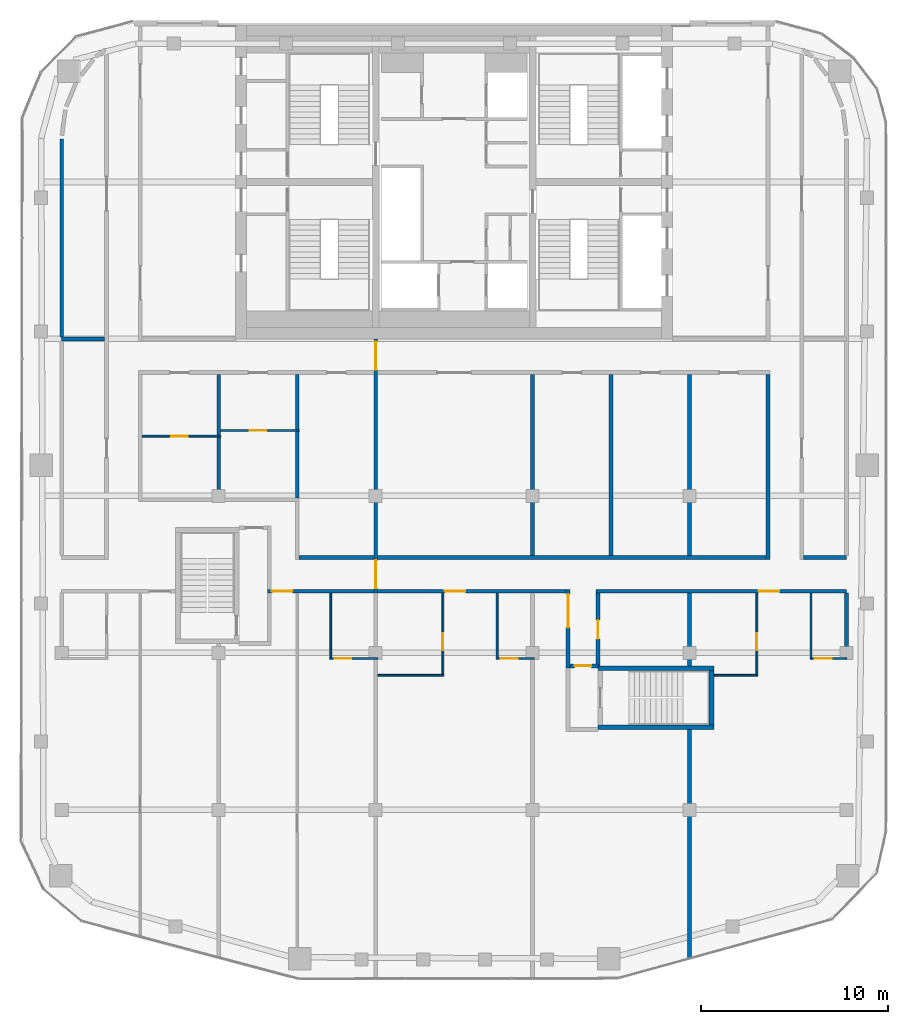
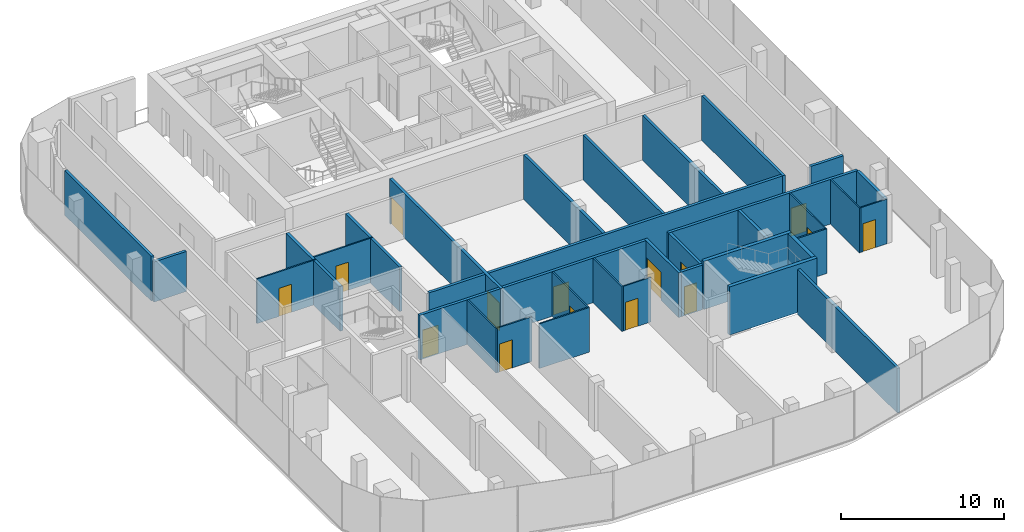
# One storey, part 14 of 19: 34 walls, 15 doors, 15 openings.
"""IFC4 building model written with IfcOpenShell, lengths in metres."""

import ifcopenshell
import ifcopenshell.guid

model = None  # the IFC model being written
_history = None  # IfcOwnerHistory: only IFC2X3 demands one
_inside = {}  # id of a spatial element -> (the spatial element, [elements in it])
_under = {}  # id of a project, library or spatial element -> (it, [spatial elements below it])
_declared = {}  # id of a project -> (the project, [libraries it declares])
_typed = {}  # id of a type object -> (the type object, [elements of that type])
_made_of = {}  # id of a material, layer set ... -> (it, [elements and type objects made of it])


def new_model(schema):
    """Start an empty IFC model of exactly this schema.

    Asked for "IFC4X3", IfcOpenShell would pick the latest addendum, in which some entities
    have other attributes; the version numbers below select the first issue.
    IFC2X3 requires an IfcOwnerHistory on every rooted entity: one is made here for all.
    """
    global model, _history
    if schema == "IFC4X3":
        model = ifcopenshell.file(schema_version=(4, 3, 0, 0))
    else:
        model = ifcopenshell.file(schema=schema)
    _inside.clear()
    _under.clear()
    _declared.clear()
    _typed.clear()
    _made_of.clear()
    _history = None
    if model.schema == "IFC2X3":
        org = make("IfcOrganization", Name="unknown")
        user = make(
            "IfcPersonAndOrganization",
            ThePerson=make("IfcPerson", FamilyName="unknown"),
            TheOrganization=org,
        )
        app = make(
            "IfcApplication",
            ApplicationDeveloper=org,
            Version="unknown",
            ApplicationFullName="unknown",
            ApplicationIdentifier="unknown",
        )
        _history = make(
            "IfcOwnerHistory",
            OwningUser=user,
            OwningApplication=app,
            ChangeAction="ADDED",
            CreationDate=0,
        )
    return model


def make(cls, **values):
    """One entity of the class cls with the attributes given. An attribute that is None is left unset."""
    return model.create_entity(
        cls, **{name: value for name, value in values.items() if value is not None}
    )


def rooted(cls, **values):
    """An entity with a GlobalId (a new one), such as an element, a storey or a relation."""
    return make(cls, GlobalId=ifcopenshell.guid.new(), OwnerHistory=_history, **values)


def si_unit(unit_type, name, prefix=None):
    """IfcSIUnit, for example si_unit("LENGTHUNIT", "METRE", prefix="MILLI")."""
    return make("IfcSIUnit", UnitType=unit_type, Prefix=prefix, Name=name)


def assignment(units):
    """IfcUnitAssignment: the units of a project."""
    return None if units is None else make("IfcUnitAssignment", Units=units)


def point(xyz):
    """IfcCartesianPoint."""
    return None if xyz is None else make("IfcCartesianPoint", Coordinates=xyz)


def direction(xyz):
    """IfcDirection."""
    return None if xyz is None else make("IfcDirection", DirectionRatios=xyz)


def frame(location, z_axis=None, x_axis=None):
    """IfcAxis2Placement3D, a coordinate frame: its origin and axes. An axis left out is left unset."""
    return make(
        "IfcAxis2Placement3D",
        Location=point(location),
        Axis=direction(z_axis),
        RefDirection=direction(x_axis),
    )


def frame_2d(location, x_axis=None):
    """IfcAxis2Placement2D, a coordinate frame in the plane: its origin and x axis."""
    return make(
        "IfcAxis2Placement2D", Location=point(location), RefDirection=direction(x_axis)
    )


def origin():
    """The frame at (0, 0, 0) with its axes left unset."""
    return frame((0.0, 0.0, 0.0))


def place(relative_to, where):
    """IfcLocalPlacement: puts the frame where relative to a parent placement (None: the world)."""
    return make(
        "IfcLocalPlacement", PlacementRelTo=relative_to, RelativePlacement=where
    )


def context(
    kind, dimensions, precision=None, world=None, true_north=None, identifier=None
):
    """IfcGeometricRepresentationContext, for example the 3D "Model" context."""
    return make(
        "IfcGeometricRepresentationContext",
        ContextIdentifier=identifier,
        ContextType=kind,
        CoordinateSpaceDimension=dimensions,
        Precision=precision,
        WorldCoordinateSystem=world,
        TrueNorth=true_north,
    )


def subcontext(parent, identifier, kind, view, scale=None):
    """IfcGeometricRepresentationSubContext, for example "Body" below "Model"."""
    return make(
        "IfcGeometricRepresentationSubContext",
        ContextIdentifier=identifier,
        ContextType=kind,
        ParentContext=parent,
        TargetScale=scale,
        TargetView=view,
    )


def project(units=None, contexts=None):
    """IfcProject with its units and contexts."""
    return rooted(
        "IfcProject",
        Name="project",
        RepresentationContexts=contexts,
        UnitsInContext=assignment(units),
    )


def spatial(cls, under=None, at=None, **own):
    """A site, building, storey or space (cls), placed at a placement, below another one or the project."""
    s = rooted(cls, ObjectPlacement=at, **own)
    if under is not None:
        _under.setdefault(under.id(), (under, []))[1].append(s)
    return s


def profile(cls, at=None, kind="AREA", **sizes):
    """A parametric profile (cls). Its sizes go by their IFC names, for example OverallWidth=200.0."""
    return make(cls, ProfileType=kind, Position=at, **sizes)


def rectangle(**sizes):
    """IfcRectangleProfileDef."""
    return profile("IfcRectangleProfileDef", **sizes)


def extrude(swept, where, along, depth):
    """IfcExtrudedAreaSolid: the profile swept, set in the frame where, extruded along a direction by depth."""
    return make(
        "IfcExtrudedAreaSolid",
        SweptArea=swept,
        Position=where,
        ExtrudedDirection=direction(along),
        Depth=depth,
    )


def shape(context_of_items, identifier, shape_type, items):
    """IfcShapeRepresentation: the items that make up one representation, for example the "Body"."""
    return make(
        "IfcShapeRepresentation",
        ContextOfItems=context_of_items,
        RepresentationIdentifier=identifier,
        RepresentationType=shape_type,
        Items=items,
    )


def material(Name=None, Category=None):
    """IfcMaterial."""
    return make("IfcMaterial", Name=Name, Category=Category)


def layer(
    of_material, thickness, ventilated=None, Name=None, Category=None, Priority=None
):
    """IfcMaterialLayer: one layer of a wall or slab, of a material (None: an air gap)."""
    return make(
        "IfcMaterialLayer",
        Material=of_material,
        LayerThickness=thickness,
        IsVentilated=ventilated,
        Name=Name,
        Category=Category,
        Priority=Priority,
    )


def layer_set(layers, Name=None):
    """IfcMaterialLayerSet."""
    return make("IfcMaterialLayerSet", MaterialLayers=layers, LayerSetName=Name)


def made_of(thing, what):
    """Note that an element or type object is made of a material, layer set ...; save() writes the relation."""
    if what is not None:
        _made_of.setdefault(what.id(), (what, []))[1].append(thing)
    return thing


def type_object(cls, material=None, **own):
    """A type object (cls), such as IfcWallType, which elements share."""
    return made_of(rooted(cls, **own), material)


def element(
    cls,
    number,
    at=None,
    inside=None,
    cuts=None,
    type_object=None,
    material=None,
    context=None,
    identifier="Body",
    shape_type=None,
    held_by="IfcProductDefinitionShape",
    body=None,
    shapes=None,
    **own,
):
    """One element of the class cls, such as IfcWall. Its Tag is "e" and its number.

    at: its placement. inside: the storey or other place that contains it. cuts: it is an
    opening in that element (IfcRelVoidsElement). A single representation is given by context,
    identifier, shape_type and body (its items); several are given by shapes. held_by: the class
    of the entity that holds the representations. save() writes the other relations.
    """
    e = rooted(cls, Tag="e%d" % number, ObjectPlacement=at, **own)
    if body is not None:
        shapes = [shape(context, identifier, shape_type, body)]
    if shapes is not None:
        e.Representation = make(held_by, Representations=shapes)
    if inside is not None:
        _inside.setdefault(inside.id(), (inside, []))[1].append(e)
    if cuts is not None:
        rooted(
            "IfcRelVoidsElement", RelatingBuildingElement=cuts, RelatedOpeningElement=e
        )
    if type_object is not None:
        _typed.setdefault(type_object.id(), (type_object, []))[1].append(e)
    return made_of(e, material)


def fill(opening, filler):
    """IfcRelFillsElement: the door or window that sits in an opening."""
    return rooted(
        "IfcRelFillsElement",
        RelatingOpeningElement=opening,
        RelatedBuildingElement=filler,
    )


def aggregate(whole, parts):
    """IfcRelAggregates: a whole, such as a stair, and the parts it consists of."""
    return rooted("IfcRelAggregates", RelatingObject=whole, RelatedObjects=parts)


def save(model, path):
    """Write the relations noted so far, then the file.

    IfcRelAggregates (storeys below a building ...), IfcRelContainedInSpatialStructure (elements
    in a storey), IfcRelDefinesByType, IfcRelAssociatesMaterial and IfcRelDeclares: one each for
    every whole, place, type object, material and project.
    """
    for whole, parts in _under.values():
        aggregate(whole, parts)
    for where, things in _inside.values():
        rooted(
            "IfcRelContainedInSpatialStructure",
            RelatedElements=things,
            RelatingStructure=where,
        )
    for kind, things in _typed.values():
        rooted("IfcRelDefinesByType", RelatedObjects=things, RelatingType=kind)
    for what, things in _made_of.values():
        rooted("IfcRelAssociatesMaterial", RelatedObjects=things, RelatingMaterial=what)
    for by, libraries in _declared.values():
        rooted("IfcRelDeclares", RelatingContext=by, RelatedDefinitions=libraries)
    model.write(path)


model = new_model("IFC4")

# Units and contexts
model_context = context("Model", 3, precision=1e-05, world=origin(), true_north=direction((0.0, 1.0)))
body_context = subcontext(model_context, "Body", "Model", "MODEL_VIEW")
ifc_project = project(units=[si_unit("LENGTHUNIT", "METRE"), si_unit("AREAUNIT", "SQUARE_METRE"), si_unit("VOLUMEUNIT", "CUBIC_METRE"), si_unit("PLANEANGLEUNIT", "RADIAN"), si_unit("MASSUNIT", "GRAM", prefix="KILO")], contexts=[model_context])

# Site, building, storey
site_placement = place(None, origin())
site = spatial("IfcSite", under=ifc_project, at=site_placement, CompositionType="ELEMENT")
building_placement = place(site_placement, origin())
building = spatial("IfcBuilding", under=site, at=building_placement, Name="Marenta Gate Hotel Tower", CompositionType="ELEMENT")
storey_placement = place(building_placement, frame((0.0, 0.0, 274.10009765625)))
storey = spatial("IfcBuildingStorey", under=building, at=storey_placement, Name="L63", CompositionType="ELEMENT", Elevation=274.10009765625)

# Wall, openings, doors
ifc_material_1 = material(Name="Concrete blockwork", Category="masonry")
ifc_layer_1 = layer(ifc_material_1, 0.199951171875)
ifc_layer_set_1 = layer_set([ifc_layer_1], Name="Concrete blockwork")
wall_type_1 = type_object("IfcWallType", Name="Compartment wall 200 REI 180", PredefinedType="PARTITIONING", material=ifc_layer_set_1)
wall_1_placement = place(storey_placement, frame((-4.199951171875, -13.60009765625, 0.0), z_axis=(0.0, 0.0, 1.0), x_axis=(0.0, 1.0, 0.0)))
wall_1 = element("IfcWall", 1, at=wall_1_placement, inside=storey, type_object=wall_type_1, Name="L63-PTN-W041", PredefinedType="PARTITIONING", context=body_context, shape_type="SweptSolid", body=[
    extrude(rectangle(XDim=13.60009765625, YDim=0.199951171875, at=frame_2d((6.800048828125, 0.0))), origin(), (0.0, 0.0, 1.0), 3.33984375),
])
opening_1_placement = place(wall_1_placement, frame((11.949951171875, 0.0, 0.0)))
opening_1 = element("IfcOpeningElement", 2, at=opening_1_placement, cuts=wall_1, Name="Opening G23-FD1", PredefinedType="OPENING", context=body_context, shape_type="SweptSolid", body=[
    extrude(rectangle(XDim=1.5, YDim=2.10009765625, at=frame_2d((0.75, 1.050048828125))), frame((0.0, 0.10009765625, 0.0), z_axis=(0.0, -1.0, 0.0), x_axis=(1.0, 0.0, 0.0)), (0.0, 0.0, 1.0), 0.199951171875),
])
opening_2_placement = place(wall_1_placement, frame((0.25, 0.0, 0.0)))
opening_2 = element("IfcOpeningElement", 3, at=opening_2_placement, cuts=wall_1, Name="Opening G23-FD2", PredefinedType="OPENING", context=body_context, shape_type="SweptSolid", body=[
    extrude(rectangle(XDim=1.5, YDim=2.10009765625, at=frame_2d((0.75, 1.050048828125))), frame((0.0, 0.10009765625, 0.0), z_axis=(0.0, -1.0, 0.0), x_axis=(1.0, 0.0, 0.0)), (0.0, 0.0, 1.0), 0.199951171875),
])
ifc_material_2 = material(Name="Hollow steel door set", Category="steel")
door_type_1 = type_object("IfcDoorType", Name="Compartment fire door 1500x2100 EI 60", OperationType="DOUBLE_DOOR_DOUBLE_SWING", PredefinedType="DOOR", material=ifc_material_2)
door_1_placement = place(opening_1_placement, origin())
door_1 = element("IfcDoor", 4, at=door_1_placement, inside=storey, type_object=door_type_1, Name="L63-PD-FD01", OperationType="DOUBLE_DOOR_DOUBLE_SWING", OverallHeight=2.10009765625, OverallWidth=1.5, PredefinedType="DOOR", context=body_context, shape_type="SweptSolid", body=[
    extrude(rectangle(XDim=1.5, YDim=2.10009765625, at=frame_2d((0.75, 1.050048828125))), frame((0.0, 0.02490234375, 0.0), z_axis=(0.0, -1.0, 0.0), x_axis=(1.0, 0.0, 0.0)), (0.0, 0.0, 1.0), 0.050048828125),
])
fill(opening_1, door_1)
door_2_placement = place(opening_2_placement, origin())
door_2 = element("IfcDoor", 5, at=door_2_placement, inside=storey, type_object=door_type_1, Name="L63-PD-FD02", OperationType="DOUBLE_DOOR_DOUBLE_SWING", OverallHeight=2.10009765625, OverallWidth=1.5, PredefinedType="DOOR", context=body_context, shape_type="SweptSolid", body=[
    extrude(rectangle(XDim=1.5, YDim=2.10009765625, at=frame_2d((0.75, 1.050048828125))), frame((0.0, 0.02490234375, 0.0), z_axis=(0.0, -1.0, 0.0), x_axis=(1.0, 0.0, 0.0)), (0.0, 0.0, 1.0), 0.050048828125),
])
fill(opening_2, door_2)

# Walls
ifc_material_3 = material(Name="Concrete C40", Category="concrete")
ifc_layer_2 = layer(ifc_material_3, 0.25)
ifc_layer_set_2 = layer_set([ifc_layer_2], Name="Concrete C40")
wall_type_2 = type_object("IfcWallType", Name="Remote stair enclosure wall 250 REI 180", PredefinedType="SHEAR", material=ifc_layer_set_2)
for number, where, z_axis, x_axis, name in (
    (6, (7.699951171875, -20.77490234375, 0.099853515625), (0.0, 0.0, 1.0), (1.0, 0.0, 0.0), "L63-RS-Z4-1-W1"),
    (7, (7.699951171875, -17.625, 0.099853515625), (0.0, 0.0, 1.0), (1.0, 0.0, 0.0), "L63-RS-Z4-1-W2"),
):
    element("IfcWall", number, at=place(storey_placement, frame(where, z_axis=z_axis, x_axis=x_axis)), inside=storey, type_object=wall_type_2, Name=name, PredefinedType="SHEAR", context=body_context, shape_type="SweptSolid", body=[
        extrude(rectangle(XDim=6.199951171875, YDim=0.25, at=frame_2d((3.10009765625, 0.0))), origin(), (0.0, 0.0, 1.0), 3.60009765625),
    ])
wall_2_placement = place(storey_placement, frame((13.77490234375, -20.64990234375, 0.099853515625), z_axis=(0.0, 0.0, 1.0), x_axis=(0.0, 1.0, 0.0)))
element("IfcWall", 8, at=wall_2_placement, inside=storey, type_object=wall_type_2, Name="L63-RS-Z4-1-W4", PredefinedType="SHEAR", context=body_context, shape_type="SweptSolid", body=[
    extrude(rectangle(XDim=2.89990234375, YDim=0.25, at=frame_2d((1.449951171875, 0.0))), origin(), (0.0, 0.0, 1.0), 3.60009765625),
])
ifc_material_4 = material(Name="Gypsum board on steel stud", Category="steel")
ifc_layer_3 = layer(ifc_material_4, 0.199951171875)
ifc_layer_set_3 = layer_set([ifc_layer_3], Name="Gypsum board on steel stud")
wall_type_3 = type_object("IfcWallType", Name="Room corridor wall 200 EI 60", PredefinedType="PARTITIONING", material=ifc_layer_set_3)
wall_3_placement = place(storey_placement, frame((21.0, -17.050048828125, 0.0), z_axis=(0.0, 0.0, 1.0), x_axis=(0.0, 1.0, 0.0)))
element("IfcWall", 9, at=wall_3_placement, inside=storey, type_object=wall_type_3, Name="L63-PTN-W001", PredefinedType="PARTITIONING", context=body_context, shape_type="SweptSolid", body=[
    extrude(rectangle(XDim=3.449951171875, YDim=0.199951171875, at=frame_2d((1.72509765625, 0.0))), origin(), (0.0, 0.0, 1.0), 3.33984375),
])
wall_4_placement = place(storey_placement, frame((16.800048828125, -11.800048828125, 0.0), z_axis=(0.0, 0.0, 1.0), x_axis=(0.0, 1.0, 0.0)))
element("IfcWall", 10, at=wall_4_placement, inside=storey, type_object=wall_type_3, Name="L63-PTN-W013", PredefinedType="PARTITIONING", context=body_context, shape_type="SweptSolid", body=[
    extrude(rectangle(XDim=9.900146484375, YDim=0.199951171875, at=frame_2d((4.9501953125, 0.0))), origin(), (0.0, 0.0, 1.0), 3.33984375),
])

# Wall, openings, doors
wall_5_placement = place(storey_placement, frame((-10.0, -13.5, 0.0), z_axis=(0.0, 0.0, 1.0), x_axis=(1.0, 0.0, 0.0)))
wall_5 = element("IfcWall", 11, at=wall_5_placement, inside=storey, type_object=wall_type_3, Name="L63-PTN-W017", PredefinedType="PARTITIONING", context=body_context, shape_type="SweptSolid", body=[
    extrude(rectangle(XDim=16.0, YDim=0.199951171875, at=frame_2d((8.0, 0.0))), origin(), (0.0, 0.0, 1.0), 3.33984375),
])
opening_3_placement = place(wall_5_placement, frame((0.25, 0.0, 0.0)))
opening_3 = element("IfcOpeningElement", 12, at=opening_3_placement, cuts=wall_5, Name="Opening G23-14", PredefinedType="OPENING", context=body_context, shape_type="SweptSolid", body=[
    extrude(rectangle(XDim=1.10009765625, YDim=2.10009765625, at=frame_2d((0.550048828125, 1.050048828125))), frame((0.0, 0.10009765625, 0.0), z_axis=(0.0, -1.0, 0.0), x_axis=(1.0, 0.0, 0.0)), (0.0, 0.0, 1.0), 0.199951171875),
])
opening_4_placement = place(wall_5_placement, frame((9.5, 0.0, 0.0)))
opening_4 = element("IfcOpeningElement", 13, at=opening_4_placement, cuts=wall_5, Name="Opening G23-17", PredefinedType="OPENING", context=body_context, shape_type="SweptSolid", body=[
    extrude(rectangle(XDim=1.10009765625, YDim=2.10009765625, at=frame_2d((0.550048828125, 1.050048828125))), frame((0.0, 0.10009765625, 0.0), z_axis=(0.0, -1.0, 0.0), x_axis=(1.0, 0.0, 0.0)), (0.0, 0.0, 1.0), 0.199951171875),
])
ifc_material_5 = material(Name="Timber door leaf", Category="wood")
door_type_2 = type_object("IfcDoorType", Name="Guest room door 1100x2100 EI 30", OperationType="NOTDEFINED", PredefinedType="DOOR", material=ifc_material_5)
door_3_placement = place(opening_3_placement, origin())
door_3 = element("IfcDoor", 14, at=door_3_placement, inside=storey, type_object=door_type_2, Name="L63-PD-D014", OperationType="SINGLE_SWING_RIGHT", OverallHeight=2.10009765625, OverallWidth=1.10009765625, PredefinedType="DOOR", context=body_context, shape_type="SweptSolid", body=[
    extrude(rectangle(XDim=1.10009765625, YDim=2.10009765625, at=frame_2d((0.550048828125, 1.050048828125))), frame((0.0, 0.02490234375, 0.0), z_axis=(0.0, -1.0, 0.0), x_axis=(1.0, 0.0, 0.0)), (0.0, 0.0, 1.0), 0.050048828125),
])
fill(opening_3, door_3)
door_4_placement = place(opening_4_placement, origin())
door_4 = element("IfcDoor", 15, at=door_4_placement, inside=storey, type_object=door_type_2, Name="L63-PD-D017", OperationType="SINGLE_SWING_RIGHT", OverallHeight=2.10009765625, OverallWidth=1.10009765625, PredefinedType="DOOR", context=body_context, shape_type="SweptSolid", body=[
    extrude(rectangle(XDim=1.10009765625, YDim=2.10009765625, at=frame_2d((0.550048828125, 1.050048828125))), frame((0.0, 0.02490234375, 0.0), z_axis=(0.0, -1.0, 0.0), x_axis=(1.0, 0.0, 0.0)), (0.0, 0.0, 1.0), 0.050048828125),
])
fill(opening_4, door_4)

# Wall, opening, door
wall_6_placement = place(storey_placement, frame((7.60009765625, -13.5, 0.0), z_axis=(0.0, 0.0, 1.0), x_axis=(1.0, 0.0, 0.0)))
wall_6 = element("IfcWall", 16, at=wall_6_placement, inside=storey, type_object=wall_type_3, Name="L63-PTN-W018", PredefinedType="PARTITIONING", context=body_context, shape_type="SweptSolid", body=[
    extrude(rectangle(XDim=13.39990234375, YDim=0.199951171875, at=frame_2d((6.699951171875, 0.0))), origin(), (0.0, 0.0, 1.0), 3.33984375),
])
opening_5_placement = place(wall_6_placement, frame((8.699951171875, 0.0, 0.0)))
opening_5 = element("IfcOpeningElement", 17, at=opening_5_placement, cuts=wall_6, Name="Opening G23-21", PredefinedType="OPENING", context=body_context, shape_type="SweptSolid", body=[
    extrude(rectangle(XDim=1.10009765625, YDim=2.10009765625, at=frame_2d((0.550048828125, 1.050048828125))), frame((0.0, 0.10009765625, 0.0), z_axis=(0.0, -1.0, 0.0), x_axis=(1.0, 0.0, 0.0)), (0.0, 0.0, 1.0), 0.199951171875),
])
door_5_placement = place(opening_5_placement, origin())
door_5 = element("IfcDoor", 18, at=door_5_placement, inside=storey, type_object=door_type_2, Name="L63-PD-D021", OperationType="SINGLE_SWING_RIGHT", OverallHeight=2.10009765625, OverallWidth=1.10009765625, PredefinedType="DOOR", context=body_context, shape_type="SweptSolid", body=[
    extrude(rectangle(XDim=1.10009765625, YDim=2.10009765625, at=frame_2d((0.550048828125, 1.050048828125))), frame((0.0, 0.02490234375, 0.0), z_axis=(0.0, -1.0, 0.0), x_axis=(1.0, 0.0, 0.0)), (0.0, 0.0, 1.0), 0.050048828125),
])
fill(opening_5, door_5)

# Walls
wall_7_placement = place(storey_placement, frame((-8.300048828125, -11.699951171875, 0.0), z_axis=(0.0, 0.0, 1.0), x_axis=(1.0, 0.0, 0.0)))
element("IfcWall", 19, at=wall_7_placement, inside=storey, type_object=wall_type_3, Name="L63-PTN-W023", PredefinedType="PARTITIONING", context=body_context, shape_type="SweptSolid", body=[
    extrude(rectangle(XDim=25.0, YDim=0.199951171875, at=frame_2d((12.5, 0.0))), origin(), (0.0, 0.0, 1.0), 3.33984375),
])
wall_8_placement = place(storey_placement, frame((18.699951171875, -11.699951171875, 0.0), z_axis=(0.0, 0.0, 1.0), x_axis=(1.0, 0.0, 0.0)))
element("IfcWall", 20, at=wall_8_placement, inside=storey, type_object=wall_type_3, Name="L63-PTN-W024", PredefinedType="PARTITIONING", context=body_context, shape_type="SweptSolid", body=[
    extrude(rectangle(XDim=2.300048828125, YDim=0.199951171875, at=frame_2d((1.14990234375, 0.0))), origin(), (0.0, 0.0, 1.0), 3.33984375),
])

# Wall, opening, door
wall_9_placement = place(storey_placement, frame((7.699951171875, -17.5, 0.0), z_axis=(0.0, 0.0, 1.0), x_axis=(0.0, 1.0, 0.0)))
wall_9 = element("IfcWall", 21, at=wall_9_placement, inside=storey, type_object=wall_type_3, Name="L63-PTN-W028", PredefinedType="PARTITIONING", context=body_context, shape_type="SweptSolid", body=[
    extrude(rectangle(XDim=3.89990234375, YDim=0.199951171875, at=frame_2d((1.949951171875, 0.0))), origin(), (0.0, 0.0, 1.0), 3.33984375),
])
opening_6_placement = place(wall_9_placement, frame((1.449951171875, 0.0, 0.0)))
opening_6 = element("IfcOpeningElement", 22, at=opening_6_placement, cuts=wall_9, Name="Opening G23-29", PredefinedType="OPENING", context=body_context, shape_type="SweptSolid", body=[
    extrude(rectangle(XDim=1.0, YDim=2.10009765625, at=frame_2d((0.5, 1.050048828125))), frame((0.0, 0.10009765625, 0.0), z_axis=(0.0, -1.0, 0.0), x_axis=(1.0, 0.0, 0.0)), (0.0, 0.0, 1.0), 0.199951171875),
])
ifc_material_6 = material(Name="Timber door leaf", Category="wood")
door_type_3 = type_object("IfcDoorType", Name="Room amenity door 1000x2100 EI 30", OperationType="NOTDEFINED", PredefinedType="DOOR", material=ifc_material_6)
door_6_placement = place(opening_6_placement, origin())
door_6 = element("IfcDoor", 23, at=door_6_placement, inside=storey, type_object=door_type_3, Name="L63-PD-D029", OperationType="SINGLE_SWING_LEFT", OverallHeight=2.10009765625, OverallWidth=1.0, PredefinedType="DOOR", context=body_context, shape_type="SweptSolid", body=[
    extrude(rectangle(XDim=1.0, YDim=2.10009765625, at=frame_2d((0.5, 1.050048828125))), frame((0.0, 0.02490234375, 0.0), z_axis=(0.0, -1.0, 0.0), x_axis=(1.0, 0.0, 0.0)), (0.0, 0.0, 1.0), 0.050048828125),
])
fill(opening_6, door_6)

wall_10_placement = place(storey_placement, frame((6.10009765625, -17.60009765625, 0.0), z_axis=(0.0, 0.0, 1.0), x_axis=(0.0, 1.0, 0.0)))
wall_10 = element("IfcWall", 24, at=wall_10_placement, inside=storey, type_object=wall_type_3, Name="L63-PTN-W030", PredefinedType="PARTITIONING", context=body_context, shape_type="SweptSolid", body=[
    extrude(rectangle(XDim=4.2001953125, YDim=0.199951171875, at=frame_2d((2.10009765625, 0.0))), origin(), (0.0, 0.0, 1.0), 3.33984375),
])
opening_7_placement = place(wall_10_placement, frame((2.14990234375, 0.0, 0.0)))
opening_7 = element("IfcOpeningElement", 25, at=opening_7_placement, cuts=wall_10, Name="Opening G23-20", PredefinedType="OPENING", context=body_context, shape_type="SweptSolid", body=[
    extrude(rectangle(XDim=1.800048828125, YDim=2.10009765625, at=frame_2d((0.89990234375, 1.050048828125))), frame((0.0, 0.10009765625, 0.0), z_axis=(0.0, -1.0, 0.0), x_axis=(1.0, 0.0, 0.0)), (0.0, 0.0, 1.0), 0.199951171875),
])
ifc_material_7 = material(Name="Timber door leaf", Category="wood")
door_type_4 = type_object("IfcDoorType", Name="Room amenity door 1800x2100 EI 30", OperationType="DOUBLE_DOOR_SINGLE_SWING", PredefinedType="DOOR", material=ifc_material_7)
door_7_placement = place(opening_7_placement, origin())
door_7 = element("IfcDoor", 26, at=door_7_placement, inside=storey, type_object=door_type_4, Name="L63-PD-D020", OperationType="DOUBLE_DOOR_SINGLE_SWING", OverallHeight=2.10009765625, OverallWidth=1.800048828125, PredefinedType="DOOR", context=body_context, shape_type="SweptSolid", body=[
    extrude(rectangle(XDim=1.800048828125, YDim=2.10009765625, at=frame_2d((0.89990234375, 1.050048828125))), frame((0.0, 0.02490234375, 0.0), z_axis=(0.0, -1.0, 0.0), x_axis=(1.0, 0.0, 0.0)), (0.0, 0.0, 1.0), 0.050048828125),
])
fill(opening_7, door_7)

ifc_material_8 = material(Name="Concrete blockwork", Category="masonry")
ifc_layer_4 = layer(ifc_material_8, 0.199951171875)
ifc_layer_set_4 = layer_set([ifc_layer_4], Name="Concrete blockwork")
wall_type_4 = type_object("IfcWallType", Name="Room corridor wall 200 REI 180", PredefinedType="PARTITIONING", material=ifc_layer_set_4)
wall_11_placement = place(storey_placement, frame((6.199951171875, -17.5, 0.0), z_axis=(0.0, 0.0, 1.0), x_axis=(1.0, 0.0, 0.0)))
wall_11 = element("IfcWall", 27, at=wall_11_placement, inside=storey, type_object=wall_type_4, Name="L63-PTN-W008", PredefinedType="PARTITIONING", context=body_context, shape_type="SweptSolid", body=[
    extrude(rectangle(XDim=1.5, YDim=0.199951171875, at=frame_2d((0.75, 0.0))), origin(), (0.0, 0.0, 1.0), 3.33984375),
])
opening_8_placement = place(wall_11_placement, frame((0.25, 0.0, 0.0)))
opening_8 = element("IfcOpeningElement", 28, at=opening_8_placement, cuts=wall_11, Name="Opening G23-25", PredefinedType="OPENING", context=body_context, shape_type="SweptSolid", body=[
    extrude(rectangle(XDim=0.89990234375, YDim=2.10009765625, at=frame_2d((0.449951171875, 1.050048828125))), frame((0.0, 0.10009765625, 0.0), z_axis=(0.0, -1.0, 0.0), x_axis=(1.0, 0.0, 0.0)), (0.0, 0.0, 1.0), 0.199951171875),
])
ifc_material_9 = material(Name="Hollow steel door set", Category="steel")
door_type_5 = type_object("IfcDoorType", Name="Stair vestibule door 900x2100 EI 60", OperationType="NOTDEFINED", PredefinedType="DOOR", material=ifc_material_9)
door_8_placement = place(opening_8_placement, origin())
door_8 = element("IfcDoor", 29, at=door_8_placement, inside=storey, type_object=door_type_5, Name="L63-PD-D025", OperationType="SINGLE_SWING_LEFT", OverallHeight=2.10009765625, OverallWidth=0.89990234375, PredefinedType="DOOR", context=body_context, shape_type="SweptSolid", body=[
    extrude(rectangle(XDim=0.89990234375, YDim=2.10009765625, at=frame_2d((0.449951171875, 1.050048828125))), frame((0.0, 0.02490234375, 0.0), z_axis=(0.0, -1.0, 0.0), x_axis=(1.0, 0.0, 0.0)), (0.0, 0.0, 1.0), 0.050048828125),
])
fill(opening_8, door_8)

# Walls
ifc_material_10 = material(Name="Gypsum board on steel stud", Category="steel")
ifc_layer_5 = layer(ifc_material_10, 0.10009765625)
ifc_layer_set_5 = layer_set([ifc_layer_5], Name="Gypsum board on steel stud")
wall_type_5 = type_object("IfcWallType", Name="Room partition 100", PredefinedType="PARTITIONING", material=ifc_layer_set_5)
wall_12_placement = place(storey_placement, frame((19.10009765625, -17.14990234375, 0.0), z_axis=(0.0, 0.0, 1.0), x_axis=(0.0, 1.0, 0.0)))
element("IfcWall", 30, at=wall_12_placement, inside=storey, type_object=wall_type_5, Name="L63-PTN-W004", PredefinedType="PARTITIONING", context=body_context, shape_type="SweptSolid", body=[
    extrude(rectangle(XDim=3.5498046875, YDim=0.10009765625, at=frame_2d((1.77490234375, 0.0))), origin(), (0.0, 0.0, 1.0), 3.33984375),
])
wall_13_placement = place(storey_placement, frame((-4.10009765625, -18.0, 0.0), z_axis=(0.0, 0.0, 1.0), x_axis=(1.0, 0.0, 0.0)))
element("IfcWall", 31, at=wall_13_placement, inside=storey, type_object=wall_type_5, Name="L63-PTN-W006", PredefinedType="PARTITIONING", context=body_context, shape_type="SweptSolid", body=[
    extrude(rectangle(XDim=3.550048828125, YDim=0.10009765625, at=frame_2d((1.77490234375, 0.0))), origin(), (0.0, 0.0, 1.0), 3.33984375),
])
wall_14_placement = place(storey_placement, frame((13.89990234375, -18.0, 0.0), z_axis=(0.0, 0.0, 1.0), x_axis=(1.0, 0.0, 0.0)))
element("IfcWall", 32, at=wall_14_placement, inside=storey, type_object=wall_type_5, Name="L63-PTN-W007", PredefinedType="PARTITIONING", context=body_context, shape_type="SweptSolid", body=[
    extrude(rectangle(XDim=2.35009765625, YDim=0.10009765625, at=frame_2d((1.175048828125, 0.0))), origin(), (0.0, 0.0, 1.0), 3.33984375),
])

# Wall, opening, door
wall_15_placement = place(storey_placement, frame((-6.550048828125, -17.10009765625, 0.0), z_axis=(0.0, 0.0, 1.0), x_axis=(1.0, 0.0, 0.0)))
wall_15 = element("IfcWall", 33, at=wall_15_placement, inside=storey, type_object=wall_type_5, Name="L63-PTN-W010", PredefinedType="PARTITIONING", context=body_context, shape_type="SweptSolid", body=[
    extrude(rectangle(XDim=2.449951171875, YDim=0.10009765625, at=frame_2d((1.22509765625, 0.0))), origin(), (0.0, 0.0, 1.0), 3.33984375),
])
opening_9_placement = place(wall_15_placement, frame((0.14990234375, 0.0, 0.0)))
opening_9 = element("IfcOpeningElement", 34, at=opening_9_placement, cuts=wall_15, Name="Opening G23-16", PredefinedType="OPENING", context=body_context, shape_type="SweptSolid", body=[
    extrude(rectangle(XDim=0.89990234375, YDim=2.10009765625, at=frame_2d((0.449951171875, 1.050048828125))), frame((0.0, 0.050048828125, 0.0), z_axis=(0.0, -1.0, 0.0), x_axis=(1.0, 0.0, 0.0)), (0.0, 0.0, 1.0), 0.10009765625),
])
ifc_material_11 = material(Name="Timber door leaf", Category="wood")
door_type_6 = type_object("IfcDoorType", Name="Guest bathroom door 900x2100", OperationType="NOTDEFINED", PredefinedType="DOOR", material=ifc_material_11)
door_9_placement = place(opening_9_placement, origin())
door_9 = element("IfcDoor", 35, at=door_9_placement, inside=storey, type_object=door_type_6, Name="L63-PD-D016", OperationType="SINGLE_SWING_LEFT", OverallHeight=2.10009765625, OverallWidth=0.89990234375, PredefinedType="DOOR", context=body_context, shape_type="SweptSolid", body=[
    extrude(rectangle(XDim=0.89990234375, YDim=2.10009765625, at=frame_2d((0.449951171875, 1.050048828125))), frame((0.0, 0.02490234375, 0.0), z_axis=(0.0, -1.0, 0.0), x_axis=(1.0, 0.0, 0.0)), (0.0, 0.0, 1.0), 0.050048828125),
])
fill(opening_9, door_9)

wall_16_placement = place(storey_placement, frame((2.35009765625, -17.10009765625, 0.0), z_axis=(0.0, 0.0, 1.0), x_axis=(1.0, 0.0, 0.0)))
wall_16 = element("IfcWall", 36, at=wall_16_placement, inside=storey, type_object=wall_type_5, Name="L63-PTN-W011", PredefinedType="PARTITIONING", context=body_context, shape_type="SweptSolid", body=[
    extrude(rectangle(XDim=1.949951171875, YDim=0.10009765625, at=frame_2d((0.97509765625, 0.0))), origin(), (0.0, 0.0, 1.0), 3.33984375),
])
opening_10_placement = place(wall_16_placement, frame((0.14990234375, 0.0, 0.0)))
opening_10 = element("IfcOpeningElement", 37, at=opening_10_placement, cuts=wall_16, Name="Opening G23-19", PredefinedType="OPENING", context=body_context, shape_type="SweptSolid", body=[
    extrude(rectangle(XDim=0.89990234375, YDim=2.10009765625, at=frame_2d((0.449951171875, 1.050048828125))), frame((0.0, 0.050048828125, 0.0), z_axis=(0.0, -1.0, 0.0), x_axis=(1.0, 0.0, 0.0)), (0.0, 0.0, 1.0), 0.10009765625),
])
ifc_material_12 = material(Name="Timber door leaf", Category="wood")
door_type_7 = type_object("IfcDoorType", Name="Room inner door 900x2100", OperationType="NOTDEFINED", PredefinedType="DOOR", material=ifc_material_12)
door_10_placement = place(opening_10_placement, origin())
door_10 = element("IfcDoor", 38, at=door_10_placement, inside=storey, type_object=door_type_7, Name="L63-PD-D019", OperationType="SINGLE_SWING_LEFT", OverallHeight=2.10009765625, OverallWidth=0.89990234375, PredefinedType="DOOR", context=body_context, shape_type="SweptSolid", body=[
    extrude(rectangle(XDim=0.89990234375, YDim=2.10009765625, at=frame_2d((0.449951171875, 1.050048828125))), frame((0.0, 0.02490234375, 0.0), z_axis=(0.0, -1.0, 0.0), x_axis=(1.0, 0.0, 0.0)), (0.0, 0.0, 1.0), 0.050048828125),
])
fill(opening_10, door_10)

wall_17_placement = place(storey_placement, frame((19.14990234375, -17.10009765625, 0.0), z_axis=(0.0, 0.0, 1.0), x_axis=(1.0, 0.0, 0.0)))
wall_17 = element("IfcWall", 39, at=wall_17_placement, inside=storey, type_object=wall_type_5, Name="L63-PTN-W012", PredefinedType="PARTITIONING", context=body_context, shape_type="SweptSolid", body=[
    extrude(rectangle(XDim=1.85009765625, YDim=0.10009765625, at=frame_2d((0.925048828125, 0.0))), origin(), (0.0, 0.0, 1.0), 3.33984375),
])
opening_11_placement = place(wall_17_placement, frame((0.14990234375, 0.0, 0.0)))
opening_11 = element("IfcOpeningElement", 40, at=opening_11_placement, cuts=wall_17, Name="Opening G23-23", PredefinedType="OPENING", context=body_context, shape_type="SweptSolid", body=[
    extrude(rectangle(XDim=0.89990234375, YDim=2.10009765625, at=frame_2d((0.449951171875, 1.050048828125))), frame((0.0, 0.050048828125, 0.0), z_axis=(0.0, -1.0, 0.0), x_axis=(1.0, 0.0, 0.0)), (0.0, 0.0, 1.0), 0.10009765625),
])
door_11_placement = place(opening_11_placement, origin())
door_11 = element("IfcDoor", 41, at=door_11_placement, inside=storey, type_object=door_type_7, Name="L63-PD-D023", OperationType="SINGLE_SWING_LEFT", OverallHeight=2.10009765625, OverallWidth=0.89990234375, PredefinedType="DOOR", context=body_context, shape_type="SweptSolid", body=[
    extrude(rectangle(XDim=0.89990234375, YDim=2.10009765625, at=frame_2d((0.449951171875, 1.050048828125))), frame((0.0, 0.02490234375, 0.0), z_axis=(0.0, -1.0, 0.0), x_axis=(1.0, 0.0, 0.0)), (0.0, 0.0, 1.0), 0.050048828125),
])
fill(opening_11, door_11)

wall_18_placement = place(storey_placement, frame((16.199951171875, -17.949951171875, 0.0), z_axis=(0.0, 0.0, 1.0), x_axis=(0.0, 1.0, 0.0)))
wall_18 = element("IfcWall", 42, at=wall_18_placement, inside=storey, type_object=wall_type_5, Name="L63-PTN-W015", PredefinedType="PARTITIONING", context=body_context, shape_type="SweptSolid", body=[
    extrude(rectangle(XDim=4.349853515625, YDim=0.10009765625, at=frame_2d((2.1748046875, 0.0))), origin(), (0.0, 0.0, 1.0), 3.33984375),
])
opening_12_placement = place(wall_18_placement, frame((1.300048828125, 0.0, 0.0)))
opening_12 = element("IfcOpeningElement", 43, at=opening_12_placement, cuts=wall_18, Name="Opening G23-22", PredefinedType="OPENING", context=body_context, shape_type="SweptSolid", body=[
    extrude(rectangle(XDim=0.89990234375, YDim=2.10009765625, at=frame_2d((0.449951171875, 1.050048828125))), frame((0.0, 0.050048828125, 0.0), z_axis=(0.0, -1.0, 0.0), x_axis=(1.0, 0.0, 0.0)), (0.0, 0.0, 1.0), 0.10009765625),
])
door_12_placement = place(opening_12_placement, origin())
door_12 = element("IfcDoor", 44, at=door_12_placement, inside=storey, type_object=door_type_6, Name="L63-PD-D022", OperationType="SINGLE_SWING_LEFT", OverallHeight=2.10009765625, OverallWidth=0.89990234375, PredefinedType="DOOR", context=body_context, shape_type="SweptSolid", body=[
    extrude(rectangle(XDim=0.89990234375, YDim=2.10009765625, at=frame_2d((0.449951171875, 1.050048828125))), frame((0.0, 0.02490234375, 0.0), z_axis=(0.0, -1.0, 0.0), x_axis=(1.0, 0.0, 0.0)), (0.0, 0.0, 1.0), 0.050048828125),
])
fill(opening_12, door_12)

wall_19_placement = place(storey_placement, frame((-16.699951171875, -5.199951171875, 0.0), z_axis=(0.0, 0.0, 1.0), x_axis=(1.0, 0.0, 0.0)))
wall_19 = element("IfcWall", 45, at=wall_19_placement, inside=storey, type_object=wall_type_5, Name="L63-PTN-W031", PredefinedType="PARTITIONING", context=body_context, shape_type="SweptSolid", body=[
    extrude(rectangle(XDim=4.199951171875, YDim=0.10009765625, at=frame_2d((2.10009765625, 0.0))), origin(), (0.0, 0.0, 1.0), 3.33984375),
])
opening_13_placement = place(wall_19_placement, frame((1.550048828125, 0.0, 0.0)))
opening_13 = element("IfcOpeningElement", 46, at=opening_13_placement, cuts=wall_19, Name="Opening G23-02", PredefinedType="OPENING", context=body_context, shape_type="SweptSolid", body=[
    extrude(rectangle(XDim=0.89990234375, YDim=2.10009765625, at=frame_2d((0.449951171875, 1.050048828125))), frame((0.0, 0.050048828125, 0.0), z_axis=(0.0, -1.0, 0.0), x_axis=(1.0, 0.0, 0.0)), (0.0, 0.0, 1.0), 0.10009765625),
])
door_13_placement = place(opening_13_placement, origin())
door_13 = element("IfcDoor", 47, at=door_13_placement, inside=storey, type_object=door_type_7, Name="L63-PD-D002", OperationType="SINGLE_SWING_RIGHT", OverallHeight=2.10009765625, OverallWidth=0.89990234375, PredefinedType="DOOR", context=body_context, shape_type="SweptSolid", body=[
    extrude(rectangle(XDim=0.89990234375, YDim=2.10009765625, at=frame_2d((0.449951171875, 1.050048828125))), frame((0.0, 0.02490234375, 0.0), z_axis=(0.0, -1.0, 0.0), x_axis=(1.0, 0.0, 0.0)), (0.0, 0.0, 1.0), 0.050048828125),
])
fill(opening_13, door_13)

wall_20_placement = place(storey_placement, frame((-12.5, -4.89990234375, 0.0), z_axis=(0.0, 0.0, 1.0), x_axis=(1.0, 0.0, 0.0)))
wall_20 = element("IfcWall", 48, at=wall_20_placement, inside=storey, type_object=wall_type_5, Name="L63-PTN-W032", PredefinedType="PARTITIONING", context=body_context, shape_type="SweptSolid", body=[
    extrude(rectangle(XDim=4.199951171875, YDim=0.10009765625, at=frame_2d((2.10009765625, 0.0))), origin(), (0.0, 0.0, 1.0), 3.33984375),
])
opening_14_placement = place(wall_20_placement, frame((1.550048828125, 0.0, 0.0)))
opening_14 = element("IfcOpeningElement", 49, at=opening_14_placement, cuts=wall_20, Name="Opening G23-04", PredefinedType="OPENING", context=body_context, shape_type="SweptSolid", body=[
    extrude(rectangle(XDim=0.89990234375, YDim=2.10009765625, at=frame_2d((0.449951171875, 1.050048828125))), frame((0.0, 0.050048828125, 0.0), z_axis=(0.0, -1.0, 0.0), x_axis=(1.0, 0.0, 0.0)), (0.0, 0.0, 1.0), 0.10009765625),
])
door_14_placement = place(opening_14_placement, origin())
door_14 = element("IfcDoor", 50, at=door_14_placement, inside=storey, type_object=door_type_7, Name="L63-PD-D004", OperationType="SINGLE_SWING_RIGHT", OverallHeight=2.10009765625, OverallWidth=0.89990234375, PredefinedType="DOOR", context=body_context, shape_type="SweptSolid", body=[
    extrude(rectangle(XDim=0.89990234375, YDim=2.10009765625, at=frame_2d((0.449951171875, 1.050048828125))), frame((0.0, 0.02490234375, 0.0), z_axis=(0.0, -1.0, 0.0), x_axis=(1.0, 0.0, 0.0)), (0.0, 0.0, 1.0), 0.050048828125),
])
fill(opening_14, door_14)

# Wall
wall_21_placement = place(storey_placement, frame((2.300048828125, -17.14990234375, 0.0), z_axis=(0.0, 0.0, 1.0), x_axis=(0.0, 1.0, 0.0)))
element("IfcWall", 51, at=wall_21_placement, inside=storey, type_object=wall_type_5, Name="L63-PTN-W035", PredefinedType="PARTITIONING", context=body_context, shape_type="SweptSolid", body=[
    extrude(rectangle(XDim=3.5498046875, YDim=0.10009765625, at=frame_2d((1.77490234375, 0.0))), origin(), (0.0, 0.0, 1.0), 3.33984375),
])

# Wall, opening, door
wall_22_placement = place(storey_placement, frame((-0.60009765625, -17.949951171875, 0.0), z_axis=(0.0, 0.0, 1.0), x_axis=(0.0, 1.0, 0.0)))
wall_22 = element("IfcWall", 52, at=wall_22_placement, inside=storey, type_object=wall_type_5, Name="L63-PTN-W039", PredefinedType="PARTITIONING", context=body_context, shape_type="SweptSolid", body=[
    extrude(rectangle(XDim=4.349853515625, YDim=0.10009765625, at=frame_2d((2.1748046875, 0.0))), origin(), (0.0, 0.0, 1.0), 3.33984375),
])
opening_15_placement = place(wall_22_placement, frame((1.300048828125, 0.0, 0.0)))
opening_15 = element("IfcOpeningElement", 53, at=opening_15_placement, cuts=wall_22, Name="Opening G23-18", PredefinedType="OPENING", context=body_context, shape_type="SweptSolid", body=[
    extrude(rectangle(XDim=0.89990234375, YDim=2.10009765625, at=frame_2d((0.449951171875, 1.050048828125))), frame((0.0, 0.050048828125, 0.0), z_axis=(0.0, -1.0, 0.0), x_axis=(1.0, 0.0, 0.0)), (0.0, 0.0, 1.0), 0.10009765625),
])
door_15_placement = place(opening_15_placement, origin())
door_15 = element("IfcDoor", 54, at=door_15_placement, inside=storey, type_object=door_type_6, Name="L63-PD-D018", OperationType="SINGLE_SWING_LEFT", OverallHeight=2.10009765625, OverallWidth=0.89990234375, PredefinedType="DOOR", context=body_context, shape_type="SweptSolid", body=[
    extrude(rectangle(XDim=0.89990234375, YDim=2.10009765625, at=frame_2d((0.449951171875, 1.050048828125))), frame((0.0, 0.02490234375, 0.0), z_axis=(0.0, -1.0, 0.0), x_axis=(1.0, 0.0, 0.0)), (0.0, 0.0, 1.0), 0.050048828125),
])
fill(opening_15, door_15)

# Walls
wall_23_placement = place(storey_placement, frame((-6.60009765625, -17.14990234375, 0.0), z_axis=(0.0, 0.0, 1.0), x_axis=(0.0, 1.0, 0.0)))
element("IfcWall", 55, at=wall_23_placement, inside=storey, type_object=wall_type_5, Name="L63-PTN-W042", PredefinedType="PARTITIONING", context=body_context, shape_type="SweptSolid", body=[
    extrude(rectangle(XDim=3.5498046875, YDim=0.10009765625, at=frame_2d((1.77490234375, 0.0))), origin(), (0.0, 0.0, 1.0), 3.33984375),
])
ifc_material_13 = material(Name="Concrete blockwork", Category="masonry")
ifc_layer_6 = layer(ifc_material_13, 0.199951171875)
ifc_layer_set_6 = layer_set([ifc_layer_6], Name="Concrete blockwork")
wall_type_6 = type_object("IfcWallType", Name="Room party wall 200 EI 120", PredefinedType="PARTITIONING", material=ifc_layer_set_6)
for number, where, z_axis, x_axis, name in (
    (56, (-8.39990234375, -8.5, 0.0), (0.0, 0.0, 1.0), (0.0, 1.0, 0.0), "L63-PTN-W045"),
    (57, (-12.60009765625, -8.5, 0.0), (0.0, 0.0, 1.0), (0.0, 1.0, 0.0), "L63-PTN-W049"),
):
    element("IfcWall", number, at=place(storey_placement, frame(where, z_axis=z_axis, x_axis=x_axis)), inside=storey, type_object=wall_type_6, Name=name, PredefinedType="PARTITIONING", context=body_context, shape_type="SweptSolid", body=[
        extrude(rectangle(XDim=6.60009765625, YDim=0.199951171875, at=frame_2d((3.300048828125, 0.0))), origin(), (0.0, 0.0, 1.0), 3.33984375),
    ])
ifc_material_14 = material(Name="Gypsum board on steel stud", Category="steel")
ifc_layer_7 = layer(ifc_material_14, 0.199951171875)
ifc_layer_set_7 = layer_set([ifc_layer_7], Name="Gypsum board on steel stud")
wall_type_7 = type_object("IfcWallType", Name="Room party wall 200 EI 60", PredefinedType="PARTITIONING", material=ifc_layer_set_7)
wall_24_placement = place(storey_placement, frame((12.60009765625, -33.1298828125, 0.0), z_axis=(0.0, 0.0, 1.0), x_axis=(0.0, 1.0, 0.0)))
element("IfcWall", 58, at=wall_24_placement, inside=storey, type_object=wall_type_7, Name="L63-PTN-W019", PredefinedType="PARTITIONING", context=body_context, shape_type="SweptSolid", body=[
    extrude(rectangle(XDim=12.22998046875, YDim=0.199951171875, at=frame_2d((6.114990234375, 0.0))), origin(), (0.0, 0.0, 1.0), 3.33984375),
])
wall_25_placement = place(storey_placement, frame((12.60009765625, -17.5, 0.0), z_axis=(0.0, 0.0, 1.0), x_axis=(0.0, 1.0, 0.0)))
element("IfcWall", 59, at=wall_25_placement, inside=storey, type_object=wall_type_7, Name="L63-PTN-W020", PredefinedType="PARTITIONING", context=body_context, shape_type="SweptSolid", body=[
    extrude(rectangle(XDim=3.89990234375, YDim=0.199951171875, at=frame_2d((1.949951171875, 0.0))), origin(), (0.0, 0.0, 1.0), 3.33984375),
])
for number, where, z_axis, x_axis, name in (
    (60, (12.60009765625, -11.60009765625, 0.0), (0.0, 0.0, 1.0), (0.0, 1.0, 0.0), "L63-PTN-W021"),
    (61, (8.39990234375, -11.60009765625, 0.0), (0.0, 0.0, 1.0), (0.0, 1.0, 0.0), "L63-PTN-W027"),
    (62, (4.199951171875, -11.60009765625, 0.0), (0.0, 0.0, 1.0), (0.0, 1.0, 0.0), "L63-PTN-W034"),
):
    element("IfcWall", number, at=place(storey_placement, frame(where, z_axis=z_axis, x_axis=x_axis)), inside=storey, type_object=wall_type_7, Name=name, PredefinedType="PARTITIONING", context=body_context, shape_type="SweptSolid", body=[
        extrude(rectangle(XDim=9.7001953125, YDim=0.199951171875, at=frame_2d((4.85009765625, 0.0))), origin(), (0.0, 0.0, 1.0), 3.33984375),
    ])
wall_26_placement = place(storey_placement, frame((-21.0, 0.0, 0.0), z_axis=(0.0, 0.0, 1.0), x_axis=(1.0, 0.0, 0.0)))
element("IfcWall", 63, at=wall_26_placement, inside=storey, type_object=wall_type_7, Name="L63-PTN-W037", PredefinedType="PARTITIONING", context=body_context, shape_type="SweptSolid", body=[
    extrude(rectangle(XDim=2.300048828125, YDim=0.199951171875, at=frame_2d((1.14990234375, 0.0))), origin(), (0.0, 0.0, 1.0), 3.0),
])
wall_27_placement = place(storey_placement, frame((-21.0, 0.10009765625, 0.0), z_axis=(0.0, 0.0, 1.0), x_axis=(0.0, 1.0, 0.0)))
element("IfcWall", 64, at=wall_27_placement, inside=storey, type_object=wall_type_7, Name="L63-PTN-W056", PredefinedType="PARTITIONING", context=body_context, shape_type="SweptSolid", body=[
    extrude(rectangle(XDim=10.601806640625, YDim=0.199951171875, at=frame_2d((5.30078125, 0.0))), origin(), (0.0, 0.0, 1.0), 3.33984375),
])

save(model, "model.ifc")
